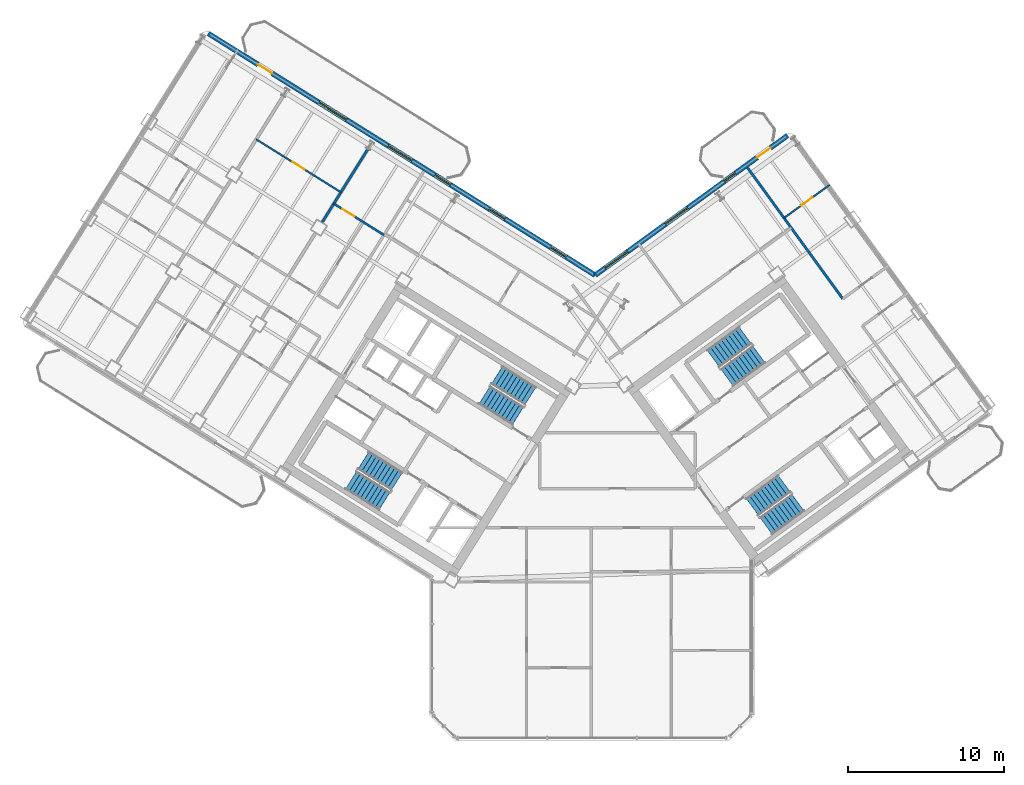
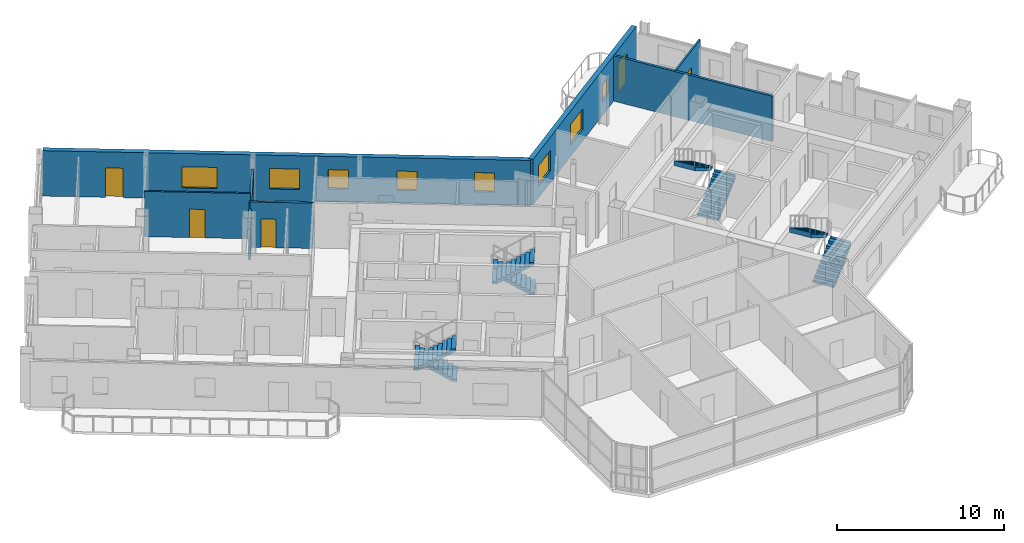
# One storey, part 16 of 21: 8 stair flights, 8 windows, 7 walls, 5 doors, 13 openings, 4 elements without a shape of their own.
"""IFC4 building model written with IfcOpenShell, lengths in metres."""

from ifc_helpers import new_model, si_unit, direction, frame, frame_2d, origin, place, context, subcontext, project, spatial, polyline, rectangle, outline, extrude, source, transform, mapped, material, layer, layer_set, type_object, element, fill, aggregate, save


model = new_model("IFC4")

# Units and contexts
model_context = context("Model", 3, precision=1e-05, world=origin(), true_north=direction((0.0, 1.0)))
body_context = subcontext(model_context, "Body", "Model", "MODEL_VIEW")
ifc_project = project(units=[si_unit("LENGTHUNIT", "METRE"), si_unit("AREAUNIT", "SQUARE_METRE"), si_unit("VOLUMEUNIT", "CUBIC_METRE"), si_unit("PLANEANGLEUNIT", "RADIAN"), si_unit("MASSUNIT", "GRAM", prefix="KILO")], contexts=[model_context])

# Site, building, storey
site_placement = place(None, origin())
site = spatial("IfcSite", under=ifc_project, at=site_placement, CompositionType="ELEMENT")
building_placement = place(site_placement, origin())
building = spatial("IfcBuilding", under=site, at=building_placement, Name="Tlacorven Tower", CompositionType="ELEMENT")
storey_placement = place(building_placement, frame((0.0, 0.0, 191.39990234375)))
storey = spatial("IfcBuildingStorey", under=building, at=storey_placement, Name="L48", CompositionType="ELEMENT", Elevation=191.39990234375)

# Walls
ifc_material_1 = material(Name="Gypsum plasterboard acoustic partition", Category="gypsum")
ifc_layer_1 = layer(ifc_material_1, 0.159912109375)
ifc_layer_set_1 = layer_set([ifc_layer_1], Name="Gypsum plasterboard acoustic partition")
wall_type_1 = type_object("IfcWallType", Name="WL-DEM-160", PredefinedType="PARTITIONING", material=ifc_layer_set_1)
wall_1_placement = place(storey_placement, frame((27.6337890625, 39.657470703125, 0.0), z_axis=(0.0, 0.0, 1.0), x_axis=(-0.529899205623, -0.848060629837, 0.0)))
element("IfcWall", 1, at=wall_1_placement, inside=storey, type_object=wall_type_1, Name="L48 WS Demising Wall 1", PredefinedType="PARTITIONING", context=body_context, shape_type="SweptSolid", body=[
    extrude(rectangle(XDim=5.501220703125, YDim=0.159912109375, at=frame_2d((2.75048828125, 0.0))), origin(), (0.0, 0.0, 1.0), 2.795166015625),
])
wall_2_placement = place(storey_placement, frame((58.06689453125, 30.080078125, 0.0), z_axis=(0.0, 0.0, 1.0), x_axis=(-0.587787785243, 0.809015154073, 0.0)))
element("IfcWall", 2, at=wall_2_placement, inside=storey, type_object=wall_type_1, Name="L48 partition 90", PredefinedType="PARTITIONING", context=body_context, shape_type="SweptSolid", body=[
    extrude(rectangle(XDim=10.400146484375, YDim=0.159912109375, at=frame_2d((5.2001953125, 0.0))), origin(), (0.0, 0.0, 1.0), 3.31005859375),
])

# Wall, openings, door, windows
ifc_material_2 = material(Name="Precast concrete C45/55", Category="concrete")
ifc_layer_2 = layer(ifc_material_2, 0.320068359375)
ifc_layer_set_2 = layer_set([ifc_layer_2], Name="Precast concrete C45/55")
wall_type_2 = type_object("IfcWallType", Name="WL-EXT-320", PredefinedType="STANDARD", material=ifc_layer_set_2)
wall_3_placement = place(storey_placement, frame((17.423828125, 47.083251953125, 0.0), z_axis=(0.0, 0.0, 1.0), x_axis=(0.848049927979, -0.529916332693, 0.0)))
wall_3 = element("IfcWall", 3, at=wall_3_placement, inside=storey, type_object=wall_type_2, Name="L48 Masonry-Frame Recessed Facade Wall 3", PredefinedType="STANDARD", context=body_context, shape_type="SweptSolid", body=[
    extrude(rectangle(XDim=29.22314453125, YDim=0.320068359375, at=frame_2d((14.611572265625, 0.0))), origin(), (0.0, 0.0, 1.0), 3.320068359375),
])
opening_1_placement = place(wall_3_placement, frame((3.763671875, 0.0, 0.0)))
opening_1 = element("IfcOpeningElement", 4, at=opening_1_placement, cuts=wall_3, Name="Opening D06", PredefinedType="OPENING", context=body_context, shape_type="SweptSolid", body=[
    extrude(rectangle(XDim=1.050048828125, YDim=2.14990234375, at=frame_2d((0.52490234375, 1.074951171875))), frame((0.0, 0.169921875, 0.0), z_axis=(0.0, -1.0, 0.0), x_axis=(1.0, 0.0, 0.0)), (0.0, 0.0, 1.0), 0.340087890625),
])
opening_2_placement = place(wall_3_placement, frame((8.34375, 0.0, 0.800048828125)))
opening_2 = element("IfcOpeningElement", 5, at=opening_2_placement, cuts=wall_3, Name="Opening WN04", PredefinedType="OPENING", context=body_context, shape_type="SweptSolid", body=[
    extrude(rectangle(XDim=2.10009765625, YDim=1.550048828125, at=frame_2d((1.050048828125, 0.77490234375))), frame((0.0, 0.169921875, 0.0), z_axis=(0.0, -1.0, 0.0), x_axis=(1.0, 0.0, 0.0)), (0.0, 0.0, 1.0), 0.340087890625),
])
opening_3_placement = place(wall_3_placement, frame((13.588623046875, 0.0, 0.85009765625)))
opening_3 = element("IfcOpeningElement", 6, at=opening_3_placement, cuts=wall_3, Name="Opening WN01", PredefinedType="OPENING", context=body_context, shape_type="SweptSolid", body=[
    extrude(rectangle(XDim=1.800048828125, YDim=1.5, at=frame_2d((0.89990234375, 0.75))), frame((0.0, 0.169921875, 0.0), z_axis=(0.0, -1.0, 0.0), x_axis=(1.0, 0.0, 0.0)), (0.0, 0.0, 1.0), 0.340087890625),
])
opening_4_placement = place(wall_3_placement, frame((17.103759765625, 0.0, 0.949951171875)))
opening_4 = element("IfcOpeningElement", 7, at=opening_4_placement, cuts=wall_3, Name="Opening WN03", PredefinedType="OPENING", context=body_context, shape_type="SweptSolid", body=[
    extrude(rectangle(XDim=1.199951171875, YDim=1.39990234375, at=frame_2d((0.60009765625, 0.699951171875))), frame((0.0, 0.169921875, 0.0), z_axis=(0.0, -1.0, 0.0), x_axis=(1.0, 0.0, 0.0)), (0.0, 0.0, 1.0), 0.340087890625),
])
opening_5_placement = place(wall_3_placement, frame((21.213623046875, 0.0, 0.949951171875)))
opening_5 = element("IfcOpeningElement", 8, at=opening_5_placement, cuts=wall_3, Name="Opening WN03", PredefinedType="OPENING", context=body_context, shape_type="SweptSolid", body=[
    extrude(rectangle(XDim=1.199951171875, YDim=1.39990234375, at=frame_2d((0.60009765625, 0.699951171875))), frame((0.0, 0.169921875, 0.0), z_axis=(0.0, -1.0, 0.0), x_axis=(1.0, 0.0, 0.0)), (0.0, 0.0, 1.0), 0.340087890625),
])
opening_6_placement = place(wall_3_placement, frame((25.853271484375, 0.0, 0.949951171875)))
opening_6 = element("IfcOpeningElement", 9, at=opening_6_placement, cuts=wall_3, Name="Opening WN03", PredefinedType="OPENING", context=body_context, shape_type="SweptSolid", body=[
    extrude(rectangle(XDim=1.199951171875, YDim=1.39990234375, at=frame_2d((0.60009765625, 0.699951171875))), frame((0.0, 0.169921875, 0.0), z_axis=(0.0, -1.0, 0.0), x_axis=(1.0, 0.0, 0.0)), (0.0, 0.0, 1.0), 0.340087890625),
])
ifc_material_3 = material(Name="Powder-coated aluminium and timber door", Category="wood")
door_type_1 = type_object("IfcDoorType", Name="DR-EXT-BALC-1050", OperationType="NOTDEFINED", PredefinedType="DOOR", material=ifc_material_3)
shared_shape_1 = source(origin(), body_context, "Body", "SweptSolid", [
    extrude(rectangle(XDim=1.050048828125, YDim=2.14990234375, at=frame_2d((0.52490234375, 1.074951171875))), frame((0.0, 0.02490234375, 0.0), z_axis=(0.0, -1.0, 0.0), x_axis=(1.0, 0.0, 0.0)), (0.0, 0.0, 1.0), 0.050048828125),
])
door_1_placement = place(opening_1_placement, origin())
door_1 = element("IfcDoor", 10, at=door_1_placement, inside=storey, type_object=door_type_1, Name="L48 Outdoor Access Door BAL-L48-W-IN", OperationType="SINGLE_SWING_RIGHT", OverallHeight=2.14990234375, OverallWidth=1.050048828125, PredefinedType="DOOR", context=body_context, shape_type="MappedRepresentation", body=[
    mapped(shared_shape_1, transform((0.0, 0.0, 0.0), scale=1.0)),
])
fill(opening_1, door_1)
ifc_material_4 = material(Name="Dark solar low-E double glazing in anodised aluminium frame", Category="aluminium")
window_type_1 = type_object("IfcWindowType", Name="WN-APT-2100X1750", PartitioningType="SINGLE_PANEL", PredefinedType="WINDOW", material=ifc_material_4)
shared_shape_2 = source(origin(), body_context, "Body", "SweptSolid", [
    extrude(rectangle(XDim=2.10009765625, YDim=1.550048828125, at=frame_2d((1.050048828125, 0.77490234375))), frame((0.0, 0.030029296875, 0.0), z_axis=(0.0, -1.0, 0.0), x_axis=(1.0, 0.0, 0.0)), (0.0, 0.0, 1.0), 0.06005859375),
])
window_1_placement = place(opening_2_placement, origin())
window_1 = element("IfcWindow", 11, at=window_1_placement, inside=storey, type_object=window_type_1, Name="L48 Recessed Masonry-Frame Window L48-03.1", OverallHeight=1.550048828125, OverallWidth=2.10009765625, PartitioningType="SINGLE_PANEL", PredefinedType="WINDOW", context=body_context, shape_type="MappedRepresentation", body=[
    mapped(shared_shape_2, transform((0.0, 0.0, 0.0), scale=1.0)),
])
fill(opening_2, window_1)
window_type_2 = type_object("IfcWindowType", Name="WN-APT-1200X1500", PartitioningType="SINGLE_PANEL", PredefinedType="WINDOW", material=ifc_material_4)
shared_shape_3 = source(origin(), body_context, "Body", "SweptSolid", [
    extrude(rectangle(XDim=1.199951171875, YDim=1.39990234375, at=frame_2d((0.60009765625, 0.699951171875))), frame((0.0, 0.030029296875, 0.0), z_axis=(0.0, -1.0, 0.0), x_axis=(1.0, 0.0, 0.0)), (0.0, 0.0, 1.0), 0.06005859375),
])
window_2_placement = place(opening_4_placement, origin())
window_2 = element("IfcWindow", 12, at=window_2_placement, inside=storey, type_object=window_type_2, Name="L48 Recessed Masonry-Frame Window L48-03.3", OverallHeight=1.39990234375, OverallWidth=1.199951171875, PartitioningType="SINGLE_PANEL", PredefinedType="WINDOW", context=body_context, shape_type="MappedRepresentation", body=[
    mapped(shared_shape_3, transform((0.0, 0.0, 0.0), scale=1.0)),
])
fill(opening_4, window_2)
window_3_placement = place(opening_5_placement, origin())
window_3 = element("IfcWindow", 13, at=window_3_placement, inside=storey, type_object=window_type_2, Name="L48 Recessed Masonry-Frame Window L48-03.4", OverallHeight=1.39990234375, OverallWidth=1.199951171875, PartitioningType="SINGLE_PANEL", PredefinedType="WINDOW", context=body_context, shape_type="MappedRepresentation", body=[
    mapped(shared_shape_3, transform((0.0, 0.0, 0.0), scale=1.0)),
])
fill(opening_5, window_3)
window_4_placement = place(opening_6_placement, origin())
window_4 = element("IfcWindow", 14, at=window_4_placement, inside=storey, type_object=window_type_2, Name="L48 Recessed Masonry-Frame Window L48-03.5", OverallHeight=1.39990234375, OverallWidth=1.199951171875, PartitioningType="SINGLE_PANEL", PredefinedType="WINDOW", context=body_context, shape_type="MappedRepresentation", body=[
    mapped(shared_shape_3, transform((0.0, 0.0, 0.0), scale=1.0)),
])
fill(opening_6, window_4)
window_type_3 = type_object("IfcWindowType", Name="WN-APT-1800X1650", PartitioningType="SINGLE_PANEL", PredefinedType="WINDOW", material=ifc_material_4)
shared_shape_4 = source(origin(), body_context, "Body", "SweptSolid", [
    extrude(rectangle(XDim=1.800048828125, YDim=1.5, at=frame_2d((0.89990234375, 0.75))), frame((0.0, 0.030029296875, 0.0), z_axis=(0.0, -1.0, 0.0), x_axis=(1.0, 0.0, 0.0)), (0.0, 0.0, 1.0), 0.06005859375),
])
window_5_placement = place(opening_3_placement, origin())
window_5 = element("IfcWindow", 15, at=window_5_placement, inside=storey, type_object=window_type_3, Name="L48 Recessed Masonry-Frame Window L48-03.2", OverallHeight=1.5, OverallWidth=1.800048828125, PartitioningType="SINGLE_PANEL", PredefinedType="WINDOW", context=body_context, shape_type="MappedRepresentation", body=[
    mapped(shared_shape_4, transform((0.0, 0.0, 0.0), scale=1.0)),
])
fill(opening_3, window_5)

wall_4_placement = place(storey_placement, frame((42.20654296875, 31.597412109375, 0.0), z_axis=(0.0, 0.0, 1.0), x_axis=(0.809020333377, 0.587780656523, 0.0)))
wall_4 = element("IfcWall", 16, at=wall_4_placement, inside=storey, type_object=wall_type_2, Name="L48 Masonry-Frame Recessed Facade Wall 4", PredefinedType="STANDARD", context=body_context, shape_type="SweptSolid", body=[
    extrude(rectangle(XDim=15.222900390625, YDim=0.320068359375, at=frame_2d((7.611328125, 0.0))), origin(), (0.0, 0.0, 1.0), 3.320068359375),
])
opening_7_placement = place(wall_4_placement, frame((12.81982421875, 0.0, 0.0)))
opening_7 = element("IfcOpeningElement", 17, at=opening_7_placement, cuts=wall_4, Name="Opening D06", PredefinedType="OPENING", context=body_context, shape_type="SweptSolid", body=[
    extrude(rectangle(XDim=1.050048828125, YDim=2.14990234375, at=frame_2d((0.52490234375, 1.074951171875))), frame((0.0, 0.169921875, 0.0), z_axis=(0.0, -1.0, 0.0), x_axis=(1.0, 0.0, 0.0)), (0.0, 0.0, 1.0), 0.340087890625),
])
opening_8_placement = place(wall_4_placement, frame((0.774658203125, 0.0, 0.85009765625)))
opening_8 = element("IfcOpeningElement", 18, at=opening_8_placement, cuts=wall_4, Name="Opening WN01", PredefinedType="OPENING", context=body_context, shape_type="SweptSolid", body=[
    extrude(rectangle(XDim=1.800048828125, YDim=1.5, at=frame_2d((0.89990234375, 0.75))), frame((0.0, 0.169921875, 0.0), z_axis=(0.0, -1.0, 0.0), x_axis=(1.0, 0.0, 0.0)), (0.0, 0.0, 1.0), 0.340087890625),
])
opening_9_placement = place(wall_4_placement, frame((5.54443359375, 0.0, 0.85009765625)))
opening_9 = element("IfcOpeningElement", 19, at=opening_9_placement, cuts=wall_4, Name="Opening WN01", PredefinedType="OPENING", context=body_context, shape_type="SweptSolid", body=[
    extrude(rectangle(XDim=1.800048828125, YDim=1.5, at=frame_2d((0.89990234375, 0.75))), frame((0.0, 0.169921875, 0.0), z_axis=(0.0, -1.0, 0.0), x_axis=(1.0, 0.0, 0.0)), (0.0, 0.0, 1.0), 0.340087890625),
])
opening_10_placement = place(wall_4_placement, frame((10.219482421875, 0.0, 1.0)))
opening_10 = element("IfcOpeningElement", 20, at=opening_10_placement, cuts=wall_4, Name="Opening WN05", PredefinedType="OPENING", context=body_context, shape_type="SweptSolid", body=[
    extrude(rectangle(XDim=0.89990234375, YDim=1.25, at=frame_2d((0.449951171875, 0.625))), frame((0.0, 0.169921875, 0.0), z_axis=(0.0, -1.0, 0.0), x_axis=(1.0, 0.0, 0.0)), (0.0, 0.0, 1.0), 0.340087890625),
])
door_2_placement = place(opening_7_placement, origin())
door_2 = element("IfcDoor", 21, at=door_2_placement, inside=storey, type_object=door_type_1, Name="L48 Outdoor Access Door BAL-L48-E-IN", OperationType="SINGLE_SWING_RIGHT", OverallHeight=2.14990234375, OverallWidth=1.050048828125, PredefinedType="DOOR", context=body_context, shape_type="MappedRepresentation", body=[
    mapped(shared_shape_1, transform((0.0, 0.0, 0.0), scale=1.0)),
])
fill(opening_7, door_2)
window_6_placement = place(opening_8_placement, origin())
window_6 = element("IfcWindow", 22, at=window_6_placement, inside=storey, type_object=window_type_3, Name="L48 Recessed Masonry-Frame Window L48-04.1", OverallHeight=1.5, OverallWidth=1.800048828125, PartitioningType="SINGLE_PANEL", PredefinedType="WINDOW", context=body_context, shape_type="MappedRepresentation", body=[
    mapped(shared_shape_4, transform((0.0, 0.0, 0.0), scale=1.0)),
])
fill(opening_8, window_6)
window_7_placement = place(opening_9_placement, origin())
window_7 = element("IfcWindow", 23, at=window_7_placement, inside=storey, type_object=window_type_3, Name="L48 Recessed Masonry-Frame Window L48-04.2", OverallHeight=1.5, OverallWidth=1.800048828125, PartitioningType="SINGLE_PANEL", PredefinedType="WINDOW", context=body_context, shape_type="MappedRepresentation", body=[
    mapped(shared_shape_4, transform((0.0, 0.0, 0.0), scale=1.0)),
])
fill(opening_9, window_7)
window_type_4 = type_object("IfcWindowType", Name="WN-APT-0900X1350", PartitioningType="SINGLE_PANEL", PredefinedType="WINDOW", material=ifc_material_4)
shared_shape_5 = source(origin(), body_context, "Body", "SweptSolid", [
    extrude(rectangle(XDim=0.89990234375, YDim=1.25, at=frame_2d((0.449951171875, 0.625))), frame((0.0, 0.030029296875, 0.0), z_axis=(0.0, -1.0, 0.0), x_axis=(1.0, 0.0, 0.0)), (0.0, 0.0, 1.0), 0.06005859375),
])
window_8_placement = place(opening_10_placement, origin())
window_8 = element("IfcWindow", 24, at=window_8_placement, inside=storey, type_object=window_type_4, Name="L48 Recessed Masonry-Frame Window L48-04.3", OverallHeight=1.25, OverallWidth=0.89990234375, PartitioningType="SINGLE_PANEL", PredefinedType="WINDOW", context=body_context, shape_type="MappedRepresentation", body=[
    mapped(shared_shape_5, transform((0.0, 0.0, 0.0), scale=1.0)),
])
fill(opening_10, window_8)

# Wall, opening, door
ifc_material_5 = material(Name="Gypsum plasterboard partition", Category="gypsum")
ifc_layer_3 = layer(ifc_material_5, 0.110107421875)
ifc_layer_set_3 = layer_set([ifc_layer_3], Name="Gypsum plasterboard partition")
wall_type_3 = type_object("IfcWallType", Name="WL-INT-110", PredefinedType="PARTITIONING", material=ifc_layer_set_3)
wall_5_placement = place(storey_placement, frame((25.916259765625, 36.908935546875, 0.0), z_axis=(0.0, 0.0, 1.0), x_axis=(-0.848056163074, 0.529906354247, 0.0)))
wall_5 = element("IfcWall", 25, at=wall_5_placement, inside=storey, type_object=wall_type_3, Name="L48 partition 62", PredefinedType="PARTITIONING", context=body_context, shape_type="SweptSolid", body=[
    extrude(rectangle(XDim=6.39990234375, YDim=0.110107421875, at=frame_2d((3.199951171875, 0.0))), origin(), (0.0, 0.0, 1.0), 3.31005859375),
])
opening_11_placement = place(wall_5_placement, frame((2.739990234375, 0.0, 0.0)))
opening_11 = element("IfcOpeningElement", 26, at=opening_11_placement, cuts=wall_5, Name="Opening D12", PredefinedType="OPENING", context=body_context, shape_type="SweptSolid", body=[
    extrude(rectangle(XDim=0.919921875, YDim=2.080078125, at=frame_2d((0.4599609375, 1.0400390625))), frame((0.0, 0.06494140625, 0.0), z_axis=(0.0, -1.0, 0.0), x_axis=(1.0, 0.0, 0.0)), (0.0, 0.0, 1.0), 0.130126953125),
])
door_type_2 = type_object("IfcDoorType", Name="DR-INT-ROOM-0920", OperationType="NOTDEFINED", PredefinedType="DOOR", material=ifc_material_3)
shared_shape_6 = source(origin(), body_context, "Body", "SweptSolid", [
    extrude(rectangle(XDim=0.919921875, YDim=2.080078125, at=frame_2d((0.4599609375, 1.0400390625))), frame((0.0, 0.02490234375, 0.0), z_axis=(0.0, -1.0, 0.0), x_axis=(1.0, 0.0, 0.0)), (0.0, 0.0, 1.0), 0.050048828125),
])
door_3_placement = place(opening_11_placement, origin())
door_3 = element("IfcDoor", 27, at=door_3_placement, inside=storey, type_object=door_type_2, Name="L48 door 035", OperationType="SINGLE_SWING_RIGHT", OverallHeight=2.080078125, OverallWidth=0.919921875, PredefinedType="DOOR", context=body_context, shape_type="MappedRepresentation", body=[
    mapped(shared_shape_6, transform((0.0, 0.0, 0.0), scale=1.0)),
])
fill(opening_11, door_3)

wall_6_placement = place(storey_placement, frame((54.3037109375, 35.25927734375, 0.0), z_axis=(0.0, 0.0, 1.0), x_axis=(0.809005039917, 0.58780170584, 0.0)))
wall_6 = element("IfcWall", 28, at=wall_6_placement, inside=storey, type_object=wall_type_3, Name="L48 partition 94", PredefinedType="PARTITIONING", context=body_context, shape_type="SweptSolid", body=[
    extrude(rectangle(XDim=3.610107421875, YDim=0.110107421875, at=frame_2d((1.80517578125, 0.0))), origin(), (0.0, 0.0, 1.0), 3.31005859375),
])
opening_12_placement = place(wall_6_placement, frame((1.344970703125, 0.0, 0.0)))
opening_12 = element("IfcOpeningElement", 29, at=opening_12_placement, cuts=wall_6, Name="Opening D12", PredefinedType="OPENING", context=body_context, shape_type="SweptSolid", body=[
    extrude(rectangle(XDim=0.919921875, YDim=2.080078125, at=frame_2d((0.4599609375, 1.0400390625))), frame((0.0, 0.06494140625, 0.0), z_axis=(0.0, -1.0, 0.0), x_axis=(1.0, 0.0, 0.0)), (0.0, 0.0, 1.0), 0.130126953125),
])
door_4_placement = place(opening_12_placement, origin())
door_4 = element("IfcDoor", 30, at=door_4_placement, inside=storey, type_object=door_type_2, Name="L48 door 059", OperationType="SINGLE_SWING_RIGHT", OverallHeight=2.080078125, OverallWidth=0.919921875, PredefinedType="DOOR", context=body_context, shape_type="MappedRepresentation", body=[
    mapped(shared_shape_6, transform((0.0, 0.0, 0.0), scale=1.0)),
])
fill(opening_12, door_4)

ifc_material_6 = material(Name="Moisture-resistant gypsum plumbing wall", Category="gypsum")
ifc_layer_4 = layer(ifc_material_6, 0.139892578125)
ifc_layer_set_4 = layer_set([ifc_layer_4], Name="Moisture-resistant gypsum plumbing wall")
wall_type_4 = type_object("IfcWallType", Name="WL-PLM-140", PredefinedType="PLUMBINGWALL", material=ifc_layer_set_4)
wall_7_placement = place(storey_placement, frame((28.673583984375, 34.16943359375, 0.0), z_axis=(0.0, 0.0, 1.0), x_axis=(-0.848059820872, 0.529900500304, 0.0)))
wall_7 = element("IfcWall", 31, at=wall_7_placement, inside=storey, type_object=wall_type_4, Name="L48 partition 59", PredefinedType="PLUMBINGWALL", context=body_context, shape_type="SweptSolid", body=[
    extrude(rectangle(XDim=3.7900390625, YDim=0.139892578125, at=frame_2d((1.89501953125, 0.0))), origin(), (0.0, 0.0, 1.0), 3.31005859375),
])
opening_13_placement = place(wall_7_placement, frame((2.22998046875, 0.0, 0.0)))
opening_13 = element("IfcOpeningElement", 32, at=opening_13_placement, cuts=wall_7, Name="Opening D12", PredefinedType="OPENING", context=body_context, shape_type="SweptSolid", body=[
    extrude(rectangle(XDim=0.919921875, YDim=2.080078125, at=frame_2d((0.4599609375, 1.0400390625))), frame((0.0, 0.080078125, 0.0), z_axis=(0.0, -1.0, 0.0), x_axis=(1.0, 0.0, 0.0)), (0.0, 0.0, 1.0), 0.159912109375),
])
door_5_placement = place(opening_13_placement, origin())
door_5 = element("IfcDoor", 33, at=door_5_placement, inside=storey, type_object=door_type_2, Name="L48 door 032", OperationType="SINGLE_SWING_LEFT", OverallHeight=2.080078125, OverallWidth=0.919921875, PredefinedType="DOOR", context=body_context, shape_type="MappedRepresentation", body=[
    mapped(shared_shape_6, transform((0.0, 0.0, 0.0), scale=1.0)),
])
fill(opening_13, door_5)

# Stair, stair flights
ifc_material_7 = material(Name="Concrete C40/50", Category="concrete")
stair_type = type_object("IfcStairType", Name="ST-CORE-DLG", PredefinedType="HALF_TURN_STAIR", material=ifc_material_7)
stair_1_placement = place(storey_placement, origin())
stair_1 = element("IfcStair", 34, at=stair_1_placement, inside=storey, type_object=stair_type, Name="L48 Protected Exit Stair West 1", PredefinedType="HALF_TURN_STAIR")
stair_flight_type = type_object("IfcStairFlightType", Name="SFL-RC-1380", PredefinedType="STRAIGHT", material=ifc_material_7)
shared_shape_7 = source(origin(), body_context, "Body", "SweptSolid", [
    extrude(outline(polyline([(-0.0029296875, -0.0029296875), (-0.0029296875, 0.179931640625), (0.280029296875, 0.179931640625), (0.280029296875, 0.360107421875), (0.56005859375, 0.360107421875), (0.56005859375, 0.5400390625), (0.840087890625, 0.5400390625), (0.840087890625, 0.719970703125), (1.1201171875, 0.719970703125), (1.1201171875, 0.89990234375), (1.39990234375, 0.89990234375), (1.39990234375, 1.080078125), (1.679931640625, 1.080078125), (1.679931640625, 1.260009765625), (1.9599609375, 1.260009765625), (1.9599609375, 1.43994140625), (2.239990234375, 1.43994140625), (2.239990234375, 1.6201171875), (2.52001953125, 1.6201171875), (2.52001953125, 1.800048828125), (2.52294921875, 1.800048828125), (2.52294921875, 1.429931640625), (2.52001953125, 1.429931640625), (0.295654296875, 0.0), (0.295654296875, -0.0029296875), (-0.0029296875, -0.0029296875)])), frame((0.0, 0.68994140625, 0.0), z_axis=(0.0, -1.0, 0.0), x_axis=(1.0, 0.0, 0.0)), (0.0, 0.0, 1.0), 1.3798828125),
])
stair_flight_1_placement = place(storey_placement, frame((29.499755859375, 18.39453125, 0.0), z_axis=(0.0, 0.0, 1.0), x_axis=(-0.848048096156, 0.529919264233, 0.0)))
stair_flight_1 = element("IfcStairFlight", 35, at=stair_flight_1_placement, type_object=stair_flight_type, Name="ST-W1 flight 1", NumberOfRisers=10, NumberOfTreads=9, PredefinedType="STRAIGHT", RiserHeight=0.18, TreadLength=0.28, context=body_context, shape_type="MappedRepresentation", body=[
    mapped(shared_shape_7, transform((0.0, 0.0, 0.0), scale=1.0)),
])
stair_flight_2_placement = place(storey_placement, frame((26.56787109375, 18.4580078125, 1.800048828125), z_axis=(0.0, 0.0, 1.0), x_axis=(0.848048096156, -0.529919264233, 0.0)))
stair_flight_2 = element("IfcStairFlight", 36, at=stair_flight_2_placement, type_object=stair_flight_type, Name="ST-W1 flight 2", NumberOfRisers=10, NumberOfTreads=9, PredefinedType="STRAIGHT", RiserHeight=0.18, TreadLength=0.28, context=body_context, shape_type="MappedRepresentation", body=[
    mapped(shared_shape_7, transform((0.0, 0.0, 0.0), scale=1.0)),
])
aggregate(stair_1, [stair_flight_1, stair_flight_2])

stair_2_placement = place(storey_placement, origin())
stair_2 = element("IfcStair", 37, at=stair_2_placement, inside=storey, type_object=stair_type, Name="L48 Protected Exit Stair West 2", PredefinedType="HALF_TURN_STAIR")
stair_flight_3_placement = place(storey_placement, frame((38.051513671875, 23.852294921875, 0.0), z_axis=(0.0, 0.0, 1.0), x_axis=(-0.848048096156, 0.529919264233, 0.0)))
stair_flight_3 = element("IfcStairFlight", 38, at=stair_flight_3_placement, type_object=stair_flight_type, Name="ST-W2 flight 1", NumberOfRisers=10, NumberOfTreads=9, PredefinedType="STRAIGHT", RiserHeight=0.18, TreadLength=0.28, context=body_context, shape_type="MappedRepresentation", body=[
    mapped(shared_shape_7, transform((0.0, 0.0, 0.0), scale=1.0)),
])
stair_flight_4_placement = place(storey_placement, frame((35.119384765625, 23.91552734375, 1.800048828125), z_axis=(0.0, 0.0, 1.0), x_axis=(0.848048096156, -0.529919264233, 0.0)))
stair_flight_4 = element("IfcStairFlight", 39, at=stair_flight_4_placement, type_object=stair_flight_type, Name="ST-W2 flight 2", NumberOfRisers=10, NumberOfTreads=9, PredefinedType="STRAIGHT", RiserHeight=0.18, TreadLength=0.28, context=body_context, shape_type="MappedRepresentation", body=[
    mapped(shared_shape_7, transform((0.0, 0.0, 0.0), scale=1.0)),
])
aggregate(stair_2, [stair_flight_3, stair_flight_4])

stair_3_placement = place(storey_placement, origin())
stair_3 = element("IfcStair", 40, at=stair_3_placement, inside=storey, type_object=stair_type, Name="L48 Protected Exit Stair East 1", PredefinedType="HALF_TURN_STAIR")
stair_flight_5_placement = place(storey_placement, frame((50.6533203125, 25.0400390625, 0.0), z_axis=(0.0, 0.0, 1.0), x_axis=(0.809016994375, 0.587785252292, 0.0)))
stair_flight_5 = element("IfcStairFlight", 41, at=stair_flight_5_placement, type_object=stair_flight_type, Name="ST-E1 flight 1", NumberOfRisers=10, NumberOfTreads=9, PredefinedType="STRAIGHT", RiserHeight=0.18, TreadLength=0.28, context=body_context, shape_type="MappedRepresentation", body=[
    mapped(shared_shape_7, transform((0.0, 0.0, 0.0), scale=1.0)),
])
stair_flight_6_placement = place(storey_placement, frame((51.810546875, 27.734619140625, 1.800048828125), z_axis=(0.0, 0.0, 1.0), x_axis=(-0.809016994375, -0.587785252292, 0.0)))
stair_flight_6 = element("IfcStairFlight", 42, at=stair_flight_6_placement, type_object=stair_flight_type, Name="ST-E1 flight 2", NumberOfRisers=10, NumberOfTreads=9, PredefinedType="STRAIGHT", RiserHeight=0.18, TreadLength=0.28, context=body_context, shape_type="MappedRepresentation", body=[
    mapped(shared_shape_7, transform((0.0, 0.0, 0.0), scale=1.0)),
])
aggregate(stair_3, [stair_flight_5, stair_flight_6])

stair_4_placement = place(storey_placement, origin())
stair_4 = element("IfcStair", 43, at=stair_4_placement, inside=storey, type_object=stair_type, Name="L48 Protected Exit Stair East 2", PredefinedType="HALF_TURN_STAIR")
stair_flight_7_placement = place(storey_placement, frame((53.157470703125, 15.536865234375, 0.0), z_axis=(0.0, 0.0, 1.0), x_axis=(0.809016994375, 0.587785252292, 0.0)))
stair_flight_7 = element("IfcStairFlight", 44, at=stair_flight_7_placement, type_object=stair_flight_type, Name="ST-E2 flight 1", NumberOfRisers=10, NumberOfTreads=9, PredefinedType="STRAIGHT", RiserHeight=0.18, TreadLength=0.28, context=body_context, shape_type="MappedRepresentation", body=[
    mapped(shared_shape_7, transform((0.0, 0.0, 0.0), scale=1.0)),
])
stair_flight_8_placement = place(storey_placement, frame((54.314453125, 18.231689453125, 1.800048828125), z_axis=(0.0, 0.0, 1.0), x_axis=(-0.809016994375, -0.587785252292, 0.0)))
stair_flight_8 = element("IfcStairFlight", 45, at=stair_flight_8_placement, type_object=stair_flight_type, Name="ST-E2 flight 2", NumberOfRisers=10, NumberOfTreads=9, PredefinedType="STRAIGHT", RiserHeight=0.18, TreadLength=0.28, context=body_context, shape_type="MappedRepresentation", body=[
    mapped(shared_shape_7, transform((0.0, 0.0, 0.0), scale=1.0)),
])
aggregate(stair_4, [stair_flight_7, stair_flight_8])

save(model, "model.ifc")
